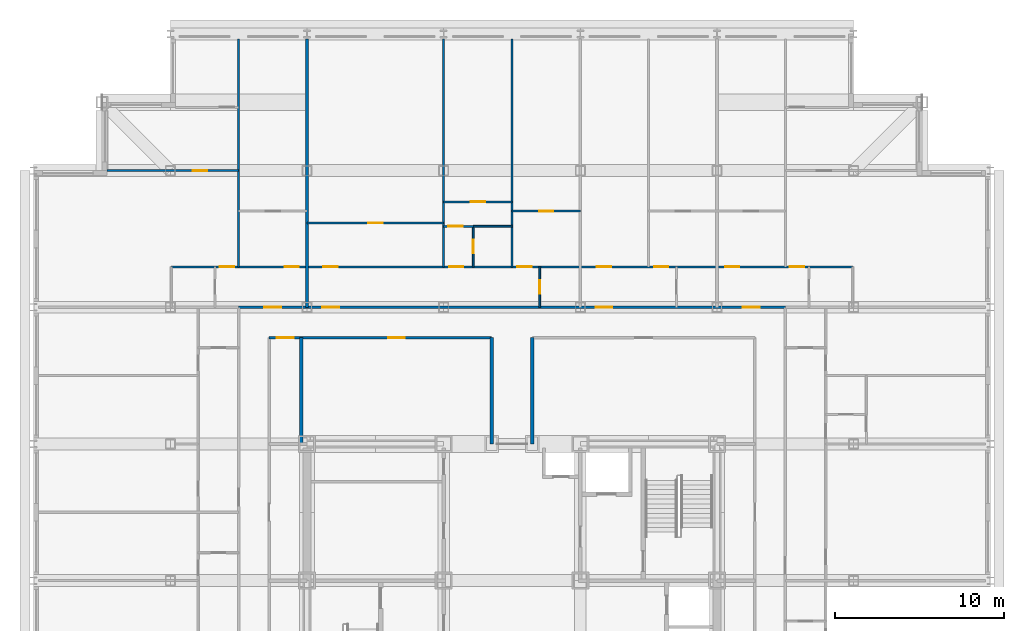
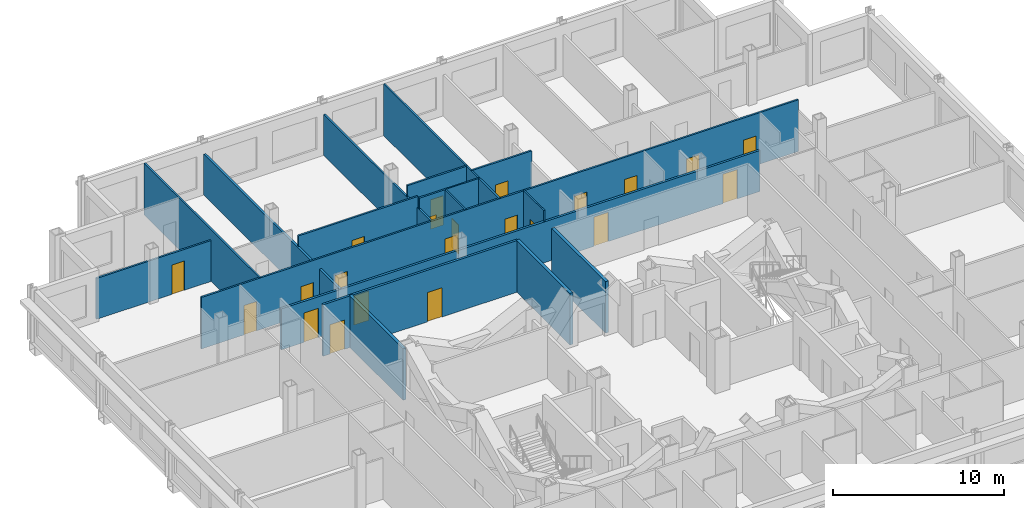
# One storey, part 12 of 15: 22 doors, 18 walls, 22 openings.
"""IFC4 building model written with IfcOpenShell, lengths in metres."""

import ifcopenshell
import ifcopenshell.guid

model = None  # the IFC model being written
_history = None  # IfcOwnerHistory: only IFC2X3 demands one
_inside = {}  # id of a spatial element -> (the spatial element, [elements in it])
_under = {}  # id of a project, library or spatial element -> (it, [spatial elements below it])
_declared = {}  # id of a project -> (the project, [libraries it declares])
_typed = {}  # id of a type object -> (the type object, [elements of that type])
_made_of = {}  # id of a material, layer set ... -> (it, [elements and type objects made of it])


def new_model(schema):
    """Start an empty IFC model of exactly this schema.

    Asked for "IFC4X3", IfcOpenShell would pick the latest addendum, in which some entities
    have other attributes; the version numbers below select the first issue.
    IFC2X3 requires an IfcOwnerHistory on every rooted entity: one is made here for all.
    """
    global model, _history
    if schema == "IFC4X3":
        model = ifcopenshell.file(schema_version=(4, 3, 0, 0))
    else:
        model = ifcopenshell.file(schema=schema)
    _inside.clear()
    _under.clear()
    _declared.clear()
    _typed.clear()
    _made_of.clear()
    _history = None
    if model.schema == "IFC2X3":
        org = make("IfcOrganization", Name="unknown")
        user = make(
            "IfcPersonAndOrganization",
            ThePerson=make("IfcPerson", FamilyName="unknown"),
            TheOrganization=org,
        )
        app = make(
            "IfcApplication",
            ApplicationDeveloper=org,
            Version="unknown",
            ApplicationFullName="unknown",
            ApplicationIdentifier="unknown",
        )
        _history = make(
            "IfcOwnerHistory",
            OwningUser=user,
            OwningApplication=app,
            ChangeAction="ADDED",
            CreationDate=0,
        )
    return model


def make(cls, **values):
    """One entity of the class cls with the attributes given. An attribute that is None is left unset."""
    return model.create_entity(
        cls, **{name: value for name, value in values.items() if value is not None}
    )


def rooted(cls, **values):
    """An entity with a GlobalId (a new one), such as an element, a storey or a relation."""
    return make(cls, GlobalId=ifcopenshell.guid.new(), OwnerHistory=_history, **values)


def si_unit(unit_type, name, prefix=None):
    """IfcSIUnit, for example si_unit("LENGTHUNIT", "METRE", prefix="MILLI")."""
    return make("IfcSIUnit", UnitType=unit_type, Prefix=prefix, Name=name)


def assignment(units):
    """IfcUnitAssignment: the units of a project."""
    return None if units is None else make("IfcUnitAssignment", Units=units)


def point(xyz):
    """IfcCartesianPoint."""
    return None if xyz is None else make("IfcCartesianPoint", Coordinates=xyz)


def direction(xyz):
    """IfcDirection."""
    return None if xyz is None else make("IfcDirection", DirectionRatios=xyz)


def frame(location, z_axis=None, x_axis=None):
    """IfcAxis2Placement3D, a coordinate frame: its origin and axes. An axis left out is left unset."""
    return make(
        "IfcAxis2Placement3D",
        Location=point(location),
        Axis=direction(z_axis),
        RefDirection=direction(x_axis),
    )


def frame_2d(location, x_axis=None):
    """IfcAxis2Placement2D, a coordinate frame in the plane: its origin and x axis."""
    return make(
        "IfcAxis2Placement2D", Location=point(location), RefDirection=direction(x_axis)
    )


def origin():
    """The frame at (0, 0, 0) with its axes left unset."""
    return frame((0.0, 0.0, 0.0))


def place(relative_to, where):
    """IfcLocalPlacement: puts the frame where relative to a parent placement (None: the world)."""
    return make(
        "IfcLocalPlacement", PlacementRelTo=relative_to, RelativePlacement=where
    )


def context(
    kind, dimensions, precision=None, world=None, true_north=None, identifier=None
):
    """IfcGeometricRepresentationContext, for example the 3D "Model" context."""
    return make(
        "IfcGeometricRepresentationContext",
        ContextIdentifier=identifier,
        ContextType=kind,
        CoordinateSpaceDimension=dimensions,
        Precision=precision,
        WorldCoordinateSystem=world,
        TrueNorth=true_north,
    )


def subcontext(parent, identifier, kind, view, scale=None):
    """IfcGeometricRepresentationSubContext, for example "Body" below "Model"."""
    return make(
        "IfcGeometricRepresentationSubContext",
        ContextIdentifier=identifier,
        ContextType=kind,
        ParentContext=parent,
        TargetScale=scale,
        TargetView=view,
    )


def project(units=None, contexts=None):
    """IfcProject with its units and contexts."""
    return rooted(
        "IfcProject",
        Name="project",
        RepresentationContexts=contexts,
        UnitsInContext=assignment(units),
    )


def spatial(cls, under=None, at=None, **own):
    """A site, building, storey or space (cls), placed at a placement, below another one or the project."""
    s = rooted(cls, ObjectPlacement=at, **own)
    if under is not None:
        _under.setdefault(under.id(), (under, []))[1].append(s)
    return s


def profile(cls, at=None, kind="AREA", **sizes):
    """A parametric profile (cls). Its sizes go by their IFC names, for example OverallWidth=200.0."""
    return make(cls, ProfileType=kind, Position=at, **sizes)


def rectangle(**sizes):
    """IfcRectangleProfileDef."""
    return profile("IfcRectangleProfileDef", **sizes)


def extrude(swept, where, along, depth):
    """IfcExtrudedAreaSolid: the profile swept, set in the frame where, extruded along a direction by depth."""
    return make(
        "IfcExtrudedAreaSolid",
        SweptArea=swept,
        Position=where,
        ExtrudedDirection=direction(along),
        Depth=depth,
    )


def shape(context_of_items, identifier, shape_type, items):
    """IfcShapeRepresentation: the items that make up one representation, for example the "Body"."""
    return make(
        "IfcShapeRepresentation",
        ContextOfItems=context_of_items,
        RepresentationIdentifier=identifier,
        RepresentationType=shape_type,
        Items=items,
    )


def material(Name=None, Category=None):
    """IfcMaterial."""
    return make("IfcMaterial", Name=Name, Category=Category)


def layer(
    of_material, thickness, ventilated=None, Name=None, Category=None, Priority=None
):
    """IfcMaterialLayer: one layer of a wall or slab, of a material (None: an air gap)."""
    return make(
        "IfcMaterialLayer",
        Material=of_material,
        LayerThickness=thickness,
        IsVentilated=ventilated,
        Name=Name,
        Category=Category,
        Priority=Priority,
    )


def layer_set(layers, Name=None):
    """IfcMaterialLayerSet."""
    return make("IfcMaterialLayerSet", MaterialLayers=layers, LayerSetName=Name)


def made_of(thing, what):
    """Note that an element or type object is made of a material, layer set ...; save() writes the relation."""
    if what is not None:
        _made_of.setdefault(what.id(), (what, []))[1].append(thing)
    return thing


def type_object(cls, material=None, **own):
    """A type object (cls), such as IfcWallType, which elements share."""
    return made_of(rooted(cls, **own), material)


def element(
    cls,
    number,
    at=None,
    inside=None,
    cuts=None,
    type_object=None,
    material=None,
    context=None,
    identifier="Body",
    shape_type=None,
    held_by="IfcProductDefinitionShape",
    body=None,
    shapes=None,
    **own,
):
    """One element of the class cls, such as IfcWall. Its Tag is "e" and its number.

    at: its placement. inside: the storey or other place that contains it. cuts: it is an
    opening in that element (IfcRelVoidsElement). A single representation is given by context,
    identifier, shape_type and body (its items); several are given by shapes. held_by: the class
    of the entity that holds the representations. save() writes the other relations.
    """
    e = rooted(cls, Tag="e%d" % number, ObjectPlacement=at, **own)
    if body is not None:
        shapes = [shape(context, identifier, shape_type, body)]
    if shapes is not None:
        e.Representation = make(held_by, Representations=shapes)
    if inside is not None:
        _inside.setdefault(inside.id(), (inside, []))[1].append(e)
    if cuts is not None:
        rooted(
            "IfcRelVoidsElement", RelatingBuildingElement=cuts, RelatedOpeningElement=e
        )
    if type_object is not None:
        _typed.setdefault(type_object.id(), (type_object, []))[1].append(e)
    return made_of(e, material)


def fill(opening, filler):
    """IfcRelFillsElement: the door or window that sits in an opening."""
    return rooted(
        "IfcRelFillsElement",
        RelatingOpeningElement=opening,
        RelatedBuildingElement=filler,
    )


def aggregate(whole, parts):
    """IfcRelAggregates: a whole, such as a stair, and the parts it consists of."""
    return rooted("IfcRelAggregates", RelatingObject=whole, RelatedObjects=parts)


def save(model, path):
    """Write the relations noted so far, then the file.

    IfcRelAggregates (storeys below a building ...), IfcRelContainedInSpatialStructure (elements
    in a storey), IfcRelDefinesByType, IfcRelAssociatesMaterial and IfcRelDeclares: one each for
    every whole, place, type object, material and project.
    """
    for whole, parts in _under.values():
        aggregate(whole, parts)
    for where, things in _inside.values():
        rooted(
            "IfcRelContainedInSpatialStructure",
            RelatedElements=things,
            RelatingStructure=where,
        )
    for kind, things in _typed.values():
        rooted("IfcRelDefinesByType", RelatedObjects=things, RelatingType=kind)
    for what, things in _made_of.values():
        rooted("IfcRelAssociatesMaterial", RelatedObjects=things, RelatingMaterial=what)
    for by, libraries in _declared.values():
        rooted("IfcRelDeclares", RelatingContext=by, RelatedDefinitions=libraries)
    model.write(path)


model = new_model("IFC4")

# Units and contexts
model_context = context("Model", 3, precision=1e-05, world=origin(), true_north=direction((0.0, 1.0)))
body_context = subcontext(model_context, "Body", "Model", "MODEL_VIEW")
ifc_project = project(units=[si_unit("LENGTHUNIT", "METRE"), si_unit("AREAUNIT", "SQUARE_METRE"), si_unit("VOLUMEUNIT", "CUBIC_METRE"), si_unit("PLANEANGLEUNIT", "RADIAN"), si_unit("MASSUNIT", "GRAM", prefix="KILO")], contexts=[model_context])

# Site, building, storey
site_placement = place(None, origin())
site = spatial("IfcSite", under=ifc_project, at=site_placement, CompositionType="ELEMENT")
building_placement = place(site_placement, origin())
building = spatial("IfcBuilding", under=site, at=building_placement, Name="Kopane Lantern Tower", CompositionType="ELEMENT")
storey_placement = place(building_placement, frame((0.0, 0.0, 242.39990234375)))
storey = spatial("IfcBuildingStorey", under=building, at=storey_placement, Name="L62", CompositionType="ELEMENT", Elevation=242.39990234375)

# Walls
ifc_material_1 = material(Name="Gypsum board on steel studs", Category="steel")
ifc_layer_1 = layer(ifc_material_1, 0.1201171875)
ifc_layer_set_1 = layer_set([ifc_layer_1], Name="APARTMENT INTERNAL WALL 120")
wall_type_1 = type_object("IfcWallType", Name="APARTMENT INTERNAL WALL 120", PredefinedType="PARTITIONING", material=ifc_layer_set_1)
wall_1_placement = place(storey_placement, frame((24.300048828125, 51.0, 0.0), z_axis=(0.0, 0.0, 1.0), x_axis=(0.0, 1.0, 0.0)))
element("IfcWall", 1, at=wall_1_placement, inside=storey, type_object=wall_type_1, Name="Apartment Internal Wall 120 L62", PredefinedType="PARTITIONING", context=body_context, shape_type="SweptSolid", body=[
    extrude(rectangle(XDim=13.5, YDim=0.1201171875, at=frame_2d((6.75, 0.0))), origin(), (0.0, 0.0, 1.0), 2.927978515625),
])
wall_2_placement = place(storey_placement, frame((28.35009765625, 51.0, 0.0), z_axis=(0.0, 0.0, 1.0), x_axis=(0.0, 1.0, 0.0)))
element("IfcWall", 2, at=wall_2_placement, inside=storey, type_object=wall_type_1, Name="Apartment Internal Wall 120 L62", PredefinedType="PARTITIONING", context=body_context, shape_type="SweptSolid", body=[
    extrude(rectangle(XDim=13.5, YDim=0.1201171875, at=frame_2d((6.75, 0.0))), origin(), (0.0, 0.0, 1.0), 3.690185546875),
])

# Wall, openings, doors
wall_3_placement = place(storey_placement, frame((8.14990234375, 51.0, 0.0), z_axis=(0.0, 0.0, 1.0), x_axis=(1.0, 0.0, 0.0)))
wall_3 = element("IfcWall", 3, at=wall_3_placement, inside=storey, type_object=wall_type_1, Name="Apartment Internal Wall 120 L62", PredefinedType="PARTITIONING", context=body_context, shape_type="SweptSolid", body=[
    extrude(rectangle(XDim=40.400146484375, YDim=0.1201171875, at=frame_2d((20.2001953125, 0.0))), origin(), (0.0, 0.0, 1.0), 3.690185546875),
])
opening_1_placement = place(wall_3_placement, frame((9.02490234375, 0.0, 0.0)))
opening_1 = element("IfcOpeningElement", 4, at=opening_1_placement, cuts=wall_3, Name="Opening L62-021", PredefinedType="OPENING", context=body_context, shape_type="SweptSolid", body=[
    extrude(rectangle(XDim=0.85009765625, YDim=2.10009765625, at=frame_2d((0.425048828125, 1.050048828125))), frame((0.0, 0.070068359375, 0.0), z_axis=(0.0, -1.0, 0.0), x_axis=(1.0, 0.0, 0.0)), (0.0, 0.0, 1.0), 0.14013671875),
])
opening_2_placement = place(wall_3_placement, frame((16.47509765625, 0.0, 0.0)))
opening_2 = element("IfcOpeningElement", 5, at=opening_2_placement, cuts=wall_3, Name="Opening L62-023", PredefinedType="OPENING", context=body_context, shape_type="SweptSolid", body=[
    extrude(rectangle(XDim=0.85009765625, YDim=2.10009765625, at=frame_2d((0.425048828125, 1.050048828125))), frame((0.0, 0.070068359375, 0.0), z_axis=(0.0, -1.0, 0.0), x_axis=(1.0, 0.0, 0.0)), (0.0, 0.0, 1.0), 0.14013671875),
])
opening_3_placement = place(wall_3_placement, frame((20.52490234375, 0.0, 0.0)))
opening_3 = element("IfcOpeningElement", 6, at=opening_3_placement, cuts=wall_3, Name="Opening L62-024", PredefinedType="OPENING", context=body_context, shape_type="SweptSolid", body=[
    extrude(rectangle(XDim=0.85009765625, YDim=2.10009765625, at=frame_2d((0.425048828125, 1.050048828125))), frame((0.0, 0.070068359375, 0.0), z_axis=(0.0, -1.0, 0.0), x_axis=(1.0, 0.0, 0.0)), (0.0, 0.0, 1.0), 0.14013671875),
])
opening_4_placement = place(wall_3_placement, frame((25.22509765625, 0.0, 0.0)))
opening_4 = element("IfcOpeningElement", 7, at=opening_4_placement, cuts=wall_3, Name="Opening L62-027", PredefinedType="OPENING", context=body_context, shape_type="SweptSolid", body=[
    extrude(rectangle(XDim=0.85009765625, YDim=2.10009765625, at=frame_2d((0.425048828125, 1.050048828125))), frame((0.0, 0.070068359375, 0.0), z_axis=(0.0, -1.0, 0.0), x_axis=(1.0, 0.0, 0.0)), (0.0, 0.0, 1.0), 0.14013671875),
])
opening_5_placement = place(wall_3_placement, frame((28.625, 0.0, 0.0)))
opening_5 = element("IfcOpeningElement", 8, at=opening_5_placement, cuts=wall_3, Name="Opening L62-028", PredefinedType="OPENING", context=body_context, shape_type="SweptSolid", body=[
    extrude(rectangle(XDim=0.85009765625, YDim=2.10009765625, at=frame_2d((0.425048828125, 1.050048828125))), frame((0.0, 0.070068359375, 0.0), z_axis=(0.0, -1.0, 0.0), x_axis=(1.0, 0.0, 0.0)), (0.0, 0.0, 1.0), 0.14013671875),
])
opening_6_placement = place(wall_3_placement, frame((32.824951171875, 0.0, 0.0)))
opening_6 = element("IfcOpeningElement", 9, at=opening_6_placement, cuts=wall_3, Name="Opening L62-054", PredefinedType="OPENING", context=body_context, shape_type="SweptSolid", body=[
    extrude(rectangle(XDim=0.85009765625, YDim=2.10009765625, at=frame_2d((0.425048828125, 1.050048828125))), frame((0.0, 0.070068359375, 0.0), z_axis=(0.0, -1.0, 0.0), x_axis=(1.0, 0.0, 0.0)), (0.0, 0.0, 1.0), 0.14013671875),
])
opening_7_placement = place(wall_3_placement, frame((36.675048828125, 0.0, 0.0)))
opening_7 = element("IfcOpeningElement", 10, at=opening_7_placement, cuts=wall_3, Name="Opening L62-056", PredefinedType="OPENING", context=body_context, shape_type="SweptSolid", body=[
    extrude(rectangle(XDim=0.85009765625, YDim=2.10009765625, at=frame_2d((0.425048828125, 1.050048828125))), frame((0.0, 0.070068359375, 0.0), z_axis=(0.0, -1.0, 0.0), x_axis=(1.0, 0.0, 0.0)), (0.0, 0.0, 1.0), 0.14013671875),
])
opening_8_placement = place(wall_3_placement, frame((6.72509765625, 0.0, 0.0)))
opening_8 = element("IfcOpeningElement", 11, at=opening_8_placement, cuts=wall_3, Name="Opening L62-059", PredefinedType="OPENING", context=body_context, shape_type="SweptSolid", body=[
    extrude(rectangle(XDim=0.85009765625, YDim=2.10009765625, at=frame_2d((0.425048828125, 1.050048828125))), frame((0.0, 0.070068359375, 0.0), z_axis=(0.0, -1.0, 0.0), x_axis=(1.0, 0.0, 0.0)), (0.0, 0.0, 1.0), 0.14013671875),
])
opening_9_placement = place(wall_3_placement, frame((2.875, 0.0, 0.0)))
opening_9 = element("IfcOpeningElement", 12, at=opening_9_placement, cuts=wall_3, Name="Opening L62-061", PredefinedType="OPENING", context=body_context, shape_type="SweptSolid", body=[
    extrude(rectangle(XDim=0.85009765625, YDim=2.10009765625, at=frame_2d((0.425048828125, 1.050048828125))), frame((0.0, 0.070068359375, 0.0), z_axis=(0.0, -1.0, 0.0), x_axis=(1.0, 0.0, 0.0)), (0.0, 0.0, 1.0), 0.14013671875),
])
ifc_material_2 = material(Name="Timber door set", Category="wood")
door_type_1 = type_object("IfcDoorType", Name="DOOR D4 850x2100", OperationType="SINGLE_SWING_LEFT", PredefinedType="DOOR", material=ifc_material_2)
door_1_placement = place(opening_1_placement, origin())
door_1 = element("IfcDoor", 13, at=door_1_placement, inside=storey, type_object=door_type_1, Name="Door L62-021", OperationType="SINGLE_SWING_LEFT", OverallHeight=2.10009765625, OverallWidth=0.85009765625, PredefinedType="DOOR", context=body_context, shape_type="SweptSolid", body=[
    extrude(rectangle(XDim=0.85009765625, YDim=2.10009765625, at=frame_2d((0.425048828125, 1.050048828125))), frame((0.0, 0.02490234375, 0.0), z_axis=(0.0, -1.0, 0.0), x_axis=(1.0, 0.0, 0.0)), (0.0, 0.0, 1.0), 0.050048828125),
])
fill(opening_1, door_1)
door_2_placement = place(opening_2_placement, origin())
door_2 = element("IfcDoor", 14, at=door_2_placement, inside=storey, type_object=door_type_1, Name="Door L62-023", OperationType="SINGLE_SWING_LEFT", OverallHeight=2.10009765625, OverallWidth=0.85009765625, PredefinedType="DOOR", context=body_context, shape_type="SweptSolid", body=[
    extrude(rectangle(XDim=0.85009765625, YDim=2.10009765625, at=frame_2d((0.425048828125, 1.050048828125))), frame((0.0, 0.02490234375, 0.0), z_axis=(0.0, -1.0, 0.0), x_axis=(1.0, 0.0, 0.0)), (0.0, 0.0, 1.0), 0.050048828125),
])
fill(opening_2, door_2)
door_3_placement = place(opening_3_placement, origin())
door_3 = element("IfcDoor", 15, at=door_3_placement, inside=storey, type_object=door_type_1, Name="Door L62-024", OperationType="SINGLE_SWING_LEFT", OverallHeight=2.10009765625, OverallWidth=0.85009765625, PredefinedType="DOOR", context=body_context, shape_type="SweptSolid", body=[
    extrude(rectangle(XDim=0.85009765625, YDim=2.10009765625, at=frame_2d((0.425048828125, 1.050048828125))), frame((0.0, 0.02490234375, 0.0), z_axis=(0.0, -1.0, 0.0), x_axis=(1.0, 0.0, 0.0)), (0.0, 0.0, 1.0), 0.050048828125),
])
fill(opening_3, door_3)
door_4_placement = place(opening_4_placement, origin())
door_4 = element("IfcDoor", 16, at=door_4_placement, inside=storey, type_object=door_type_1, Name="Door L62-027", OperationType="SINGLE_SWING_RIGHT", OverallHeight=2.10009765625, OverallWidth=0.85009765625, PredefinedType="DOOR", context=body_context, shape_type="SweptSolid", body=[
    extrude(rectangle(XDim=0.85009765625, YDim=2.10009765625, at=frame_2d((0.425048828125, 1.050048828125))), frame((0.0, 0.02490234375, 0.0), z_axis=(0.0, -1.0, 0.0), x_axis=(1.0, 0.0, 0.0)), (0.0, 0.0, 1.0), 0.050048828125),
])
fill(opening_4, door_4)
door_5_placement = place(opening_5_placement, origin())
door_5 = element("IfcDoor", 17, at=door_5_placement, inside=storey, type_object=door_type_1, Name="Door L62-028", OperationType="SINGLE_SWING_LEFT", OverallHeight=2.10009765625, OverallWidth=0.85009765625, PredefinedType="DOOR", context=body_context, shape_type="SweptSolid", body=[
    extrude(rectangle(XDim=0.85009765625, YDim=2.10009765625, at=frame_2d((0.425048828125, 1.050048828125))), frame((0.0, 0.02490234375, 0.0), z_axis=(0.0, -1.0, 0.0), x_axis=(1.0, 0.0, 0.0)), (0.0, 0.0, 1.0), 0.050048828125),
])
fill(opening_5, door_5)
door_6_placement = place(opening_6_placement, origin())
door_6 = element("IfcDoor", 18, at=door_6_placement, inside=storey, type_object=door_type_1, Name="Door L62-054", OperationType="SINGLE_SWING_RIGHT", OverallHeight=2.10009765625, OverallWidth=0.85009765625, PredefinedType="DOOR", context=body_context, shape_type="SweptSolid", body=[
    extrude(rectangle(XDim=0.85009765625, YDim=2.10009765625, at=frame_2d((0.425048828125, 1.050048828125))), frame((0.0, 0.02490234375, 0.0), z_axis=(0.0, -1.0, 0.0), x_axis=(1.0, 0.0, 0.0)), (0.0, 0.0, 1.0), 0.050048828125),
])
fill(opening_6, door_6)
door_7_placement = place(opening_7_placement, origin())
door_7 = element("IfcDoor", 19, at=door_7_placement, inside=storey, type_object=door_type_1, Name="Door L62-056", OperationType="SINGLE_SWING_LEFT", OverallHeight=2.10009765625, OverallWidth=0.85009765625, PredefinedType="DOOR", context=body_context, shape_type="SweptSolid", body=[
    extrude(rectangle(XDim=0.85009765625, YDim=2.10009765625, at=frame_2d((0.425048828125, 1.050048828125))), frame((0.0, 0.02490234375, 0.0), z_axis=(0.0, -1.0, 0.0), x_axis=(1.0, 0.0, 0.0)), (0.0, 0.0, 1.0), 0.050048828125),
])
fill(opening_7, door_7)
door_8_placement = place(opening_8_placement, origin())
door_8 = element("IfcDoor", 20, at=door_8_placement, inside=storey, type_object=door_type_1, Name="Door L62-059", OperationType="SINGLE_SWING_LEFT", OverallHeight=2.10009765625, OverallWidth=0.85009765625, PredefinedType="DOOR", context=body_context, shape_type="SweptSolid", body=[
    extrude(rectangle(XDim=0.85009765625, YDim=2.10009765625, at=frame_2d((0.425048828125, 1.050048828125))), frame((0.0, 0.02490234375, 0.0), z_axis=(0.0, -1.0, 0.0), x_axis=(1.0, 0.0, 0.0)), (0.0, 0.0, 1.0), 0.050048828125),
])
fill(opening_8, door_8)
door_9_placement = place(opening_9_placement, origin())
door_9 = element("IfcDoor", 21, at=door_9_placement, inside=storey, type_object=door_type_1, Name="Door L62-061", OperationType="SINGLE_SWING_RIGHT", OverallHeight=2.10009765625, OverallWidth=0.85009765625, PredefinedType="DOOR", context=body_context, shape_type="SweptSolid", body=[
    extrude(rectangle(XDim=0.85009765625, YDim=2.10009765625, at=frame_2d((0.425048828125, 1.050048828125))), frame((0.0, 0.02490234375, 0.0), z_axis=(0.0, -1.0, 0.0), x_axis=(1.0, 0.0, 0.0)), (0.0, 0.0, 1.0), 0.050048828125),
])
fill(opening_9, door_9)

# Wall
wall_4_placement = place(storey_placement, frame((12.14990234375, 51.0, 0.0), z_axis=(0.0, 0.0, 1.0), x_axis=(0.0, 1.0, 0.0)))
element("IfcWall", 22, at=wall_4_placement, inside=storey, type_object=wall_type_1, Name="Apartment Internal Wall 120 L62", PredefinedType="PARTITIONING", context=body_context, shape_type="SweptSolid", body=[
    extrude(rectangle(XDim=13.5, YDim=0.1201171875, at=frame_2d((6.75, 0.0))), origin(), (0.0, 0.0, 1.0), 3.690185546875),
])

# Wall, opening, door
wall_5_placement = place(storey_placement, frame((12.14990234375, 56.699951171875, 0.0), z_axis=(0.0, 0.0, 1.0), x_axis=(-1.0, 0.0, 0.0)))
wall_5 = element("IfcWall", 23, at=wall_5_placement, inside=storey, type_object=wall_type_1, Name="Apartment Internal Wall 120 L62", PredefinedType="PARTITIONING", context=body_context, shape_type="SweptSolid", body=[
    extrude(rectangle(XDim=7.7998046875, YDim=0.1201171875, at=frame_2d((3.89990234375, 0.0))), origin(), (0.0, 0.0, 1.0), 2.927978515625),
])
opening_10_placement = place(wall_5_placement, frame((1.875, 0.0, 0.0)))
opening_10 = element("IfcOpeningElement", 24, at=opening_10_placement, cuts=wall_5, Name="Opening L62-062", PredefinedType="OPENING", context=body_context, shape_type="SweptSolid", body=[
    extrude(rectangle(XDim=0.85009765625, YDim=2.10009765625, at=frame_2d((0.425048828125, 1.050048828125))), frame((0.0, 0.070068359375, 0.0), z_axis=(0.0, -1.0, 0.0), x_axis=(1.0, 0.0, 0.0)), (0.0, 0.0, 1.0), 0.14013671875),
])
door_10_placement = place(opening_10_placement, origin())
door_10 = element("IfcDoor", 25, at=door_10_placement, inside=storey, type_object=door_type_1, Name="Door L62-062", OperationType="SINGLE_SWING_LEFT", OverallHeight=2.10009765625, OverallWidth=0.85009765625, PredefinedType="DOOR", context=body_context, shape_type="SweptSolid", body=[
    extrude(rectangle(XDim=0.85009765625, YDim=2.10009765625, at=frame_2d((0.425048828125, 1.050048828125))), frame((0.0, 0.02490234375, 0.0), z_axis=(0.0, -1.0, 0.0), x_axis=(1.0, 0.0, 0.0)), (0.0, 0.0, 1.0), 0.050048828125),
])
fill(opening_10, door_10)

wall_6_placement = place(storey_placement, frame((24.300048828125, 53.39990234375, 0.0), z_axis=(0.0, 0.0, 1.0), x_axis=(1.0, 0.0, 0.0)))
wall_6 = element("IfcWall", 26, at=wall_6_placement, inside=storey, type_object=wall_type_1, Name="Apartment Internal Wall 120 L62", PredefinedType="PARTITIONING", context=body_context, shape_type="SweptSolid", body=[
    extrude(rectangle(XDim=1.760009765625, YDim=0.1201171875, at=frame_2d((0.8798828125, 0.0))), origin(), (0.0, 0.0, 1.0), 3.690185546875),
])
opening_11_placement = place(wall_6_placement, frame((0.27490234375, 0.0, 0.0)))
opening_11 = element("IfcOpeningElement", 27, at=opening_11_placement, cuts=wall_6, Name="Opening L62-063", PredefinedType="OPENING", context=body_context, shape_type="SweptSolid", body=[
    extrude(rectangle(XDim=0.85009765625, YDim=2.10009765625, at=frame_2d((0.425048828125, 1.050048828125))), frame((0.0, 0.070068359375, 0.0), z_axis=(0.0, -1.0, 0.0), x_axis=(1.0, 0.0, 0.0)), (0.0, 0.0, 1.0), 0.14013671875),
])
door_11_placement = place(opening_11_placement, origin())
door_11 = element("IfcDoor", 28, at=door_11_placement, inside=storey, type_object=door_type_1, Name="Door L62-063", OperationType="SINGLE_SWING_LEFT", OverallHeight=2.10009765625, OverallWidth=0.85009765625, PredefinedType="DOOR", context=body_context, shape_type="SweptSolid", body=[
    extrude(rectangle(XDim=0.85009765625, YDim=2.10009765625, at=frame_2d((0.425048828125, 1.050048828125))), frame((0.0, 0.02490234375, 0.0), z_axis=(0.0, -1.0, 0.0), x_axis=(1.0, 0.0, 0.0)), (0.0, 0.0, 1.0), 0.050048828125),
])
fill(opening_11, door_11)

wall_7_placement = place(storey_placement, frame((16.199951171875, 53.60009765625, 0.0), z_axis=(0.0, 0.0, 1.0), x_axis=(1.0, 0.0, 0.0)))
wall_7 = element("IfcWall", 29, at=wall_7_placement, inside=storey, type_object=wall_type_1, Name="Apartment Internal Wall 120 L62", PredefinedType="PARTITIONING", context=body_context, shape_type="SweptSolid", body=[
    extrude(rectangle(XDim=8.10009765625, YDim=0.1201171875, at=frame_2d((4.050048828125, 0.0))), origin(), (0.0, 0.0, 1.0), 3.690185546875),
])
opening_12_placement = place(wall_7_placement, frame((3.625, 0.0, 0.0)))
opening_12 = element("IfcOpeningElement", 30, at=opening_12_placement, cuts=wall_7, Name="Opening L62-067", PredefinedType="OPENING", context=body_context, shape_type="SweptSolid", body=[
    extrude(rectangle(XDim=0.85009765625, YDim=2.10009765625, at=frame_2d((0.425048828125, 1.050048828125))), frame((0.0, 0.070068359375, 0.0), z_axis=(0.0, -1.0, 0.0), x_axis=(1.0, 0.0, 0.0)), (0.0, 0.0, 1.0), 0.14013671875),
])
door_12_placement = place(opening_12_placement, origin())
door_12 = element("IfcDoor", 31, at=door_12_placement, inside=storey, type_object=door_type_1, Name="Door L62-067", OperationType="SINGLE_SWING_RIGHT", OverallHeight=2.10009765625, OverallWidth=0.85009765625, PredefinedType="DOOR", context=body_context, shape_type="SweptSolid", body=[
    extrude(rectangle(XDim=0.85009765625, YDim=2.10009765625, at=frame_2d((0.425048828125, 1.050048828125))), frame((0.0, 0.02490234375, 0.0), z_axis=(0.0, -1.0, 0.0), x_axis=(1.0, 0.0, 0.0)), (0.0, 0.0, 1.0), 0.050048828125),
])
fill(opening_12, door_12)

wall_8_placement = place(storey_placement, frame((24.300048828125, 54.85009765625, 0.0), z_axis=(0.0, 0.0, 1.0), x_axis=(1.0, 0.0, 0.0)))
wall_8 = element("IfcWall", 32, at=wall_8_placement, inside=storey, type_object=wall_type_1, Name="Apartment Internal Wall 120 L62", PredefinedType="PARTITIONING", context=body_context, shape_type="SweptSolid", body=[
    extrude(rectangle(XDim=4.050048828125, YDim=0.1201171875, at=frame_2d((2.02490234375, 0.0))), origin(), (0.0, 0.0, 1.0), 3.690185546875),
])
opening_13_placement = place(wall_8_placement, frame((1.60009765625, 0.0, 0.0)))
opening_13 = element("IfcOpeningElement", 33, at=opening_13_placement, cuts=wall_8, Name="Opening L62-068", PredefinedType="OPENING", context=body_context, shape_type="SweptSolid", body=[
    extrude(rectangle(XDim=0.85009765625, YDim=2.10009765625, at=frame_2d((0.425048828125, 1.050048828125))), frame((0.0, 0.070068359375, 0.0), z_axis=(0.0, -1.0, 0.0), x_axis=(1.0, 0.0, 0.0)), (0.0, 0.0, 1.0), 0.14013671875),
])
door_13_placement = place(opening_13_placement, origin())
door_13 = element("IfcDoor", 34, at=door_13_placement, inside=storey, type_object=door_type_1, Name="Door L62-068", OperationType="SINGLE_SWING_RIGHT", OverallHeight=2.10009765625, OverallWidth=0.85009765625, PredefinedType="DOOR", context=body_context, shape_type="SweptSolid", body=[
    extrude(rectangle(XDim=0.85009765625, YDim=2.10009765625, at=frame_2d((0.425048828125, 1.050048828125))), frame((0.0, 0.02490234375, 0.0), z_axis=(0.0, -1.0, 0.0), x_axis=(1.0, 0.0, 0.0)), (0.0, 0.0, 1.0), 0.050048828125),
])
fill(opening_13, door_13)

wall_9_placement = place(storey_placement, frame((28.35009765625, 54.300048828125, 0.0), z_axis=(0.0, 0.0, 1.0), x_axis=(1.0, 0.0, 0.0)))
wall_9 = element("IfcWall", 35, at=wall_9_placement, inside=storey, type_object=wall_type_1, Name="Apartment Internal Wall 120 L62", PredefinedType="PARTITIONING", context=body_context, shape_type="SweptSolid", body=[
    extrude(rectangle(XDim=4.0498046875, YDim=0.1201171875, at=frame_2d((2.02490234375, 0.0))), origin(), (0.0, 0.0, 1.0), 3.690185546875),
])
opening_14_placement = place(wall_9_placement, frame((1.60009765625, 0.0, 0.0)))
opening_14 = element("IfcOpeningElement", 36, at=opening_14_placement, cuts=wall_9, Name="Opening L62-069", PredefinedType="OPENING", context=body_context, shape_type="SweptSolid", body=[
    extrude(rectangle(XDim=0.85009765625, YDim=2.10009765625, at=frame_2d((0.425048828125, 1.050048828125))), frame((0.0, 0.070068359375, 0.0), z_axis=(0.0, -1.0, 0.0), x_axis=(1.0, 0.0, 0.0)), (0.0, 0.0, 1.0), 0.14013671875),
])
door_14_placement = place(opening_14_placement, origin())
door_14 = element("IfcDoor", 37, at=door_14_placement, inside=storey, type_object=door_type_1, Name="Door L62-069", OperationType="SINGLE_SWING_RIGHT", OverallHeight=2.10009765625, OverallWidth=0.85009765625, PredefinedType="DOOR", context=body_context, shape_type="SweptSolid", body=[
    extrude(rectangle(XDim=0.85009765625, YDim=2.10009765625, at=frame_2d((0.425048828125, 1.050048828125))), frame((0.0, 0.02490234375, 0.0), z_axis=(0.0, -1.0, 0.0), x_axis=(1.0, 0.0, 0.0)), (0.0, 0.0, 1.0), 0.050048828125),
])
fill(opening_14, door_14)

ifc_material_3 = material(Name="Moisture-resistant board on steel studs", Category="steel")
ifc_layer_2 = layer(ifc_material_3, 0.10009765625)
ifc_layer_set_2 = layer_set([ifc_layer_2], Name="BATHROOM WALL 100")
wall_type_2 = type_object("IfcWallType", Name="BATHROOM WALL 100", PredefinedType="PARTITIONING", material=ifc_layer_set_2)
wall_10_placement = place(storey_placement, frame((30.0, 48.60009765625, 0.0), z_axis=(0.0, 0.0, 1.0), x_axis=(0.0, 1.0, 0.0)))
wall_10 = element("IfcWall", 38, at=wall_10_placement, inside=storey, type_object=wall_type_2, Name="Bathroom Wall 100 L62", PredefinedType="PARTITIONING", context=body_context, shape_type="SweptSolid", body=[
    extrude(rectangle(XDim=2.39990234375, YDim=0.10009765625, at=frame_2d((1.199951171875, 0.0))), origin(), (0.0, 0.0, 1.0), 3.690185546875),
])
opening_15_placement = place(wall_10_placement, frame((0.800048828125, 0.0, 0.0)))
opening_15 = element("IfcOpeningElement", 39, at=opening_15_placement, cuts=wall_10, Name="Opening L62-019", PredefinedType="OPENING", context=body_context, shape_type="SweptSolid", body=[
    extrude(rectangle(XDim=0.800048828125, YDim=2.10009765625, at=frame_2d((0.39990234375, 1.050048828125))), frame((0.0, 0.06005859375, 0.0), z_axis=(0.0, -1.0, 0.0), x_axis=(1.0, 0.0, 0.0)), (0.0, 0.0, 1.0), 0.1201171875),
])
ifc_material_4 = material(Name="Timber door set", Category="wood")
door_type_2 = type_object("IfcDoorType", Name="DOOR D2 800x2100", OperationType="SINGLE_SWING_LEFT", PredefinedType="DOOR", material=ifc_material_4)
door_15_placement = place(opening_15_placement, origin())
door_15 = element("IfcDoor", 40, at=door_15_placement, inside=storey, type_object=door_type_2, Name="Door L62-019", OperationType="SINGLE_SWING_RIGHT", OverallHeight=2.10009765625, OverallWidth=0.800048828125, PredefinedType="DOOR", context=body_context, shape_type="SweptSolid", body=[
    extrude(rectangle(XDim=0.800048828125, YDim=2.10009765625, at=frame_2d((0.39990234375, 1.050048828125))), frame((0.0, 0.02490234375, 0.0), z_axis=(0.0, -1.0, 0.0), x_axis=(1.0, 0.0, 0.0)), (0.0, 0.0, 1.0), 0.050048828125),
])
fill(opening_15, door_15)

wall_11_placement = place(storey_placement, frame((26.050048828125, 51.0, 0.0), z_axis=(0.0, 0.0, 1.0), x_axis=(0.0, 1.0, 0.0)))
wall_11 = element("IfcWall", 41, at=wall_11_placement, inside=storey, type_object=wall_type_2, Name="Bathroom Wall 100 L62", PredefinedType="PARTITIONING", context=body_context, shape_type="SweptSolid", body=[
    extrude(rectangle(XDim=2.39990234375, YDim=0.10009765625, at=frame_2d((1.199951171875, 0.0))), origin(), (0.0, 0.0, 1.0), 3.690185546875),
])
opening_16_placement = place(wall_11_placement, frame((0.800048828125, 0.0, 0.0)))
opening_16 = element("IfcOpeningElement", 42, at=opening_16_placement, cuts=wall_11, Name="Opening L62-022", PredefinedType="OPENING", context=body_context, shape_type="SweptSolid", body=[
    extrude(rectangle(XDim=0.800048828125, YDim=2.10009765625, at=frame_2d((0.39990234375, 1.050048828125))), frame((0.0, 0.06005859375, 0.0), z_axis=(0.0, -1.0, 0.0), x_axis=(1.0, 0.0, 0.0)), (0.0, 0.0, 1.0), 0.1201171875),
])
door_16_placement = place(opening_16_placement, origin())
door_16 = element("IfcDoor", 43, at=door_16_placement, inside=storey, type_object=door_type_2, Name="Door L62-022", OperationType="SINGLE_SWING_RIGHT", OverallHeight=2.10009765625, OverallWidth=0.800048828125, PredefinedType="DOOR", context=body_context, shape_type="SweptSolid", body=[
    extrude(rectangle(XDim=0.800048828125, YDim=2.10009765625, at=frame_2d((0.39990234375, 1.050048828125))), frame((0.0, 0.02490234375, 0.0), z_axis=(0.0, -1.0, 0.0), x_axis=(1.0, 0.0, 0.0)), (0.0, 0.0, 1.0), 0.050048828125),
])
fill(opening_16, door_16)

# Wall
wall_12_placement = place(storey_placement, frame((26.050048828125, 53.39990234375, 0.0), z_axis=(0.0, 0.0, 1.0), x_axis=(1.0, 0.0, 0.0)))
element("IfcWall", 44, at=wall_12_placement, inside=storey, type_object=wall_type_2, Name="Bathroom Wall 100 L62", PredefinedType="PARTITIONING", context=body_context, shape_type="SweptSolid", body=[
    extrude(rectangle(XDim=2.300048828125, YDim=0.10009765625, at=frame_2d((1.14990234375, 0.0))), origin(), (0.0, 0.0, 1.0), 3.690185546875),
])

# Wall, openings, doors
ifc_material_5 = material(Name="Gypsum board on steel studs", Category="steel")
ifc_layer_3 = layer(ifc_material_5, 0.14990234375)
ifc_layer_set_3 = layer_set([ifc_layer_3], Name="CORRIDOR WALL 150 EI 60")
wall_type_3 = type_object("IfcWallType", Name="CORRIDOR WALL 150 EI 60", PredefinedType="PARTITIONING", material=ifc_layer_set_3)
wall_13_placement = place(storey_placement, frame((12.14990234375, 48.60009765625, 0.0), z_axis=(0.0, 0.0, 1.0), x_axis=(1.0, 0.0, 0.0)))
wall_13 = element("IfcWall", 45, at=wall_13_placement, inside=storey, type_object=wall_type_3, Name="Corridor Wall 150 Ei 60 L62", PredefinedType="PARTITIONING", context=body_context, shape_type="SweptSolid", body=[
    extrude(rectangle(XDim=32.400146484375, YDim=0.14990234375, at=frame_2d((16.2001953125, 0.0))), origin(), (0.0, 0.0, 1.0), 2.927978515625),
])
opening_17_placement = place(wall_13_placement, frame((4.949951171875, 0.0, 0.0)))
opening_17 = element("IfcOpeningElement", 46, at=opening_17_placement, cuts=wall_13, Name="Opening L62-020", PredefinedType="OPENING", context=body_context, shape_type="SweptSolid", body=[
    extrude(rectangle(XDim=1.0, YDim=2.10009765625, at=frame_2d((0.5, 1.050048828125))), frame((0.0, 0.0849609375, 0.0), z_axis=(0.0, -1.0, 0.0), x_axis=(1.0, 0.0, 0.0)), (0.0, 0.0, 1.0), 0.169921875),
])
opening_18_placement = place(wall_13_placement, frame((21.14990234375, 0.0, 0.0)))
opening_18 = element("IfcOpeningElement", 47, at=opening_18_placement, cuts=wall_13, Name="Opening L62-026", PredefinedType="OPENING", context=body_context, shape_type="SweptSolid", body=[
    extrude(rectangle(XDim=1.0, YDim=2.10009765625, at=frame_2d((0.5, 1.050048828125))), frame((0.0, 0.0849609375, 0.0), z_axis=(0.0, -1.0, 0.0), x_axis=(1.0, 0.0, 0.0)), (0.0, 0.0, 1.0), 0.169921875),
])
opening_19_placement = place(wall_13_placement, frame((29.875, 0.0, 0.0)))
opening_19 = element("IfcOpeningElement", 48, at=opening_19_placement, cuts=wall_13, Name="Opening L62-053", PredefinedType="OPENING", context=body_context, shape_type="SweptSolid", body=[
    extrude(rectangle(XDim=1.0, YDim=2.10009765625, at=frame_2d((0.5, 1.050048828125))), frame((0.0, 0.0849609375, 0.0), z_axis=(0.0, -1.0, 0.0), x_axis=(1.0, 0.0, 0.0)), (0.0, 0.0, 1.0), 0.169921875),
])
opening_20_placement = place(wall_13_placement, frame((1.52490234375, 0.0, 0.0)))
opening_20 = element("IfcOpeningElement", 49, at=opening_20_placement, cuts=wall_13, Name="Opening L62-058", PredefinedType="OPENING", context=body_context, shape_type="SweptSolid", body=[
    extrude(rectangle(XDim=1.0, YDim=2.10009765625, at=frame_2d((0.5, 1.050048828125))), frame((0.0, 0.0849609375, 0.0), z_axis=(0.0, -1.0, 0.0), x_axis=(1.0, 0.0, 0.0)), (0.0, 0.0, 1.0), 0.169921875),
])
ifc_material_6 = material(Name="Steel door set", Category="steel")
door_type_3 = type_object("IfcDoorType", Name="DOOR D3 1000x2100 FD30S", OperationType="SINGLE_SWING_LEFT", PredefinedType="DOOR", material=ifc_material_6)
door_17_placement = place(opening_17_placement, origin())
door_17 = element("IfcDoor", 50, at=door_17_placement, inside=storey, type_object=door_type_3, Name="Door L62-020", OperationType="SINGLE_SWING_LEFT", OverallHeight=2.10009765625, OverallWidth=1.0, PredefinedType="DOOR", context=body_context, shape_type="SweptSolid", body=[
    extrude(rectangle(XDim=1.0, YDim=2.10009765625, at=frame_2d((0.5, 1.050048828125))), frame((0.0, 0.02490234375, 0.0), z_axis=(0.0, -1.0, 0.0), x_axis=(1.0, 0.0, 0.0)), (0.0, 0.0, 1.0), 0.050048828125),
])
fill(opening_17, door_17)
door_18_placement = place(opening_18_placement, origin())
door_18 = element("IfcDoor", 51, at=door_18_placement, inside=storey, type_object=door_type_3, Name="Door L62-026", OperationType="SINGLE_SWING_LEFT", OverallHeight=2.10009765625, OverallWidth=1.0, PredefinedType="DOOR", context=body_context, shape_type="SweptSolid", body=[
    extrude(rectangle(XDim=1.0, YDim=2.10009765625, at=frame_2d((0.5, 1.050048828125))), frame((0.0, 0.02490234375, 0.0), z_axis=(0.0, -1.0, 0.0), x_axis=(1.0, 0.0, 0.0)), (0.0, 0.0, 1.0), 0.050048828125),
])
fill(opening_18, door_18)
door_19_placement = place(opening_19_placement, origin())
door_19 = element("IfcDoor", 52, at=door_19_placement, inside=storey, type_object=door_type_3, Name="Door L62-053", OperationType="SINGLE_SWING_LEFT", OverallHeight=2.10009765625, OverallWidth=1.0, PredefinedType="DOOR", context=body_context, shape_type="SweptSolid", body=[
    extrude(rectangle(XDim=1.0, YDim=2.10009765625, at=frame_2d((0.5, 1.050048828125))), frame((0.0, 0.02490234375, 0.0), z_axis=(0.0, -1.0, 0.0), x_axis=(1.0, 0.0, 0.0)), (0.0, 0.0, 1.0), 0.050048828125),
])
fill(opening_19, door_19)
door_20_placement = place(opening_20_placement, origin())
door_20 = element("IfcDoor", 53, at=door_20_placement, inside=storey, type_object=door_type_3, Name="Door L62-058", OperationType="SINGLE_SWING_RIGHT", OverallHeight=2.10009765625, OverallWidth=1.0, PredefinedType="DOOR", context=body_context, shape_type="SweptSolid", body=[
    extrude(rectangle(XDim=1.0, YDim=2.10009765625, at=frame_2d((0.5, 1.050048828125))), frame((0.0, 0.02490234375, 0.0), z_axis=(0.0, -1.0, 0.0), x_axis=(1.0, 0.0, 0.0)), (0.0, 0.0, 1.0), 0.050048828125),
])
fill(opening_20, door_20)

wall_14_placement = place(storey_placement, frame((27.139892578125, 46.800048828125, 0.0), z_axis=(0.0, 0.0, 1.0), x_axis=(-1.0, 0.0, 0.0)))
wall_14 = element("IfcWall", 54, at=wall_14_placement, inside=storey, type_object=wall_type_3, Name="Corridor Wall 150 Ei 60 L62", PredefinedType="PARTITIONING", context=body_context, shape_type="SweptSolid", body=[
    extrude(rectangle(XDim=13.18994140625, YDim=0.14990234375, at=frame_2d((6.594970703125, 0.0))), origin(), (0.0, 0.0, 1.0), 3.690185546875),
])
opening_21_placement = place(wall_14_placement, frame((11.737548828125, 0.0, 0.0)))
opening_21 = element("IfcOpeningElement", 55, at=opening_21_placement, cuts=wall_14, Name="Opening L62-005", PredefinedType="OPENING", context=body_context, shape_type="SweptSolid", body=[
    extrude(rectangle(XDim=1.0, YDim=2.10009765625, at=frame_2d((0.5, 1.050048828125))), frame((0.0, 0.0849609375, 0.0), z_axis=(0.0, -1.0, 0.0), x_axis=(1.0, 0.0, 0.0)), (0.0, 0.0, 1.0), 0.169921875),
])
opening_22_placement = place(wall_14_placement, frame((5.1376953125, 0.0, 0.0)))
opening_22 = element("IfcOpeningElement", 56, at=opening_22_placement, cuts=wall_14, Name="Opening L62-006", PredefinedType="OPENING", context=body_context, shape_type="SweptSolid", body=[
    extrude(rectangle(XDim=1.0, YDim=2.10009765625, at=frame_2d((0.5, 1.050048828125))), frame((0.0, 0.0849609375, 0.0), z_axis=(0.0, -1.0, 0.0), x_axis=(1.0, 0.0, 0.0)), (0.0, 0.0, 1.0), 0.169921875),
])
ifc_material_7 = material(Name="Steel door set", Category="steel")
door_type_4 = type_object("IfcDoorType", Name="DOOR D5 1000x2100 FD60", OperationType="SINGLE_SWING_LEFT", PredefinedType="DOOR", material=ifc_material_7)
door_21_placement = place(opening_21_placement, origin())
door_21 = element("IfcDoor", 57, at=door_21_placement, inside=storey, type_object=door_type_4, Name="Door L62-005", OperationType="SINGLE_SWING_RIGHT", OverallHeight=2.10009765625, OverallWidth=1.0, PredefinedType="DOOR", context=body_context, shape_type="SweptSolid", body=[
    extrude(rectangle(XDim=1.0, YDim=2.10009765625, at=frame_2d((0.5, 1.050048828125))), frame((0.0, 0.02490234375, 0.0), z_axis=(0.0, -1.0, 0.0), x_axis=(1.0, 0.0, 0.0)), (0.0, 0.0, 1.0), 0.050048828125),
])
fill(opening_21, door_21)
door_22_placement = place(opening_22_placement, origin())
door_22 = element("IfcDoor", 58, at=door_22_placement, inside=storey, type_object=door_type_4, Name="Door L62-006", OperationType="SINGLE_SWING_LEFT", OverallHeight=2.10009765625, OverallWidth=1.0, PredefinedType="DOOR", context=body_context, shape_type="SweptSolid", body=[
    extrude(rectangle(XDim=1.0, YDim=2.10009765625, at=frame_2d((0.5, 1.050048828125))), frame((0.0, 0.02490234375, 0.0), z_axis=(0.0, -1.0, 0.0), x_axis=(1.0, 0.0, 0.0)), (0.0, 0.0, 1.0), 0.050048828125),
])
fill(opening_22, door_22)

# Walls
ifc_material_8 = material(Name="Gypsum board on steel studs", Category="steel")
ifc_layer_4 = layer(ifc_material_8, 0.14990234375)
ifc_layer_set_4 = layer_set([ifc_layer_4], Name="DEMISING WALL 150 EI 60")
wall_type_4 = type_object("IfcWallType", Name="DEMISING WALL 150 EI 60", PredefinedType="PARTITIONING", material=ifc_layer_set_4)
wall_15_placement = place(storey_placement, frame((16.199951171875, 48.60009765625, 0.0), z_axis=(0.0, 0.0, 1.0), x_axis=(0.0, 1.0, 0.0)))
element("IfcWall", 59, at=wall_15_placement, inside=storey, type_object=wall_type_4, Name="Demising Wall 150 Ei 60 L62", PredefinedType="PARTITIONING", context=body_context, shape_type="SweptSolid", body=[
    extrude(rectangle(XDim=15.89990234375, YDim=0.14990234375, at=frame_2d((7.949951171875, 0.0))), origin(), (0.0, 0.0, 1.0), 2.927978515625),
])
ifc_material_9 = material(Name="Concrete masonry", Category="masonry")
ifc_layer_5 = layer(ifc_material_9, 0.199951171875)
ifc_layer_set_5 = layer_set([ifc_layer_5], Name="PLANT ROOM WALL 200 EI 120")
wall_type_5 = type_object("IfcWallType", Name="PLANT ROOM WALL 200 EI 120", PredefinedType="SOLIDWALL", material=ifc_layer_set_5)
for number, where, z_axis, x_axis, name in (
    (60, (15.854736328125, 46.800048828125, 0.0), (0.0, 0.0, 1.0), (0.0, -1.0, 0.0), "Plant Room Wall 200 Ei 120 L62"),
    (61, (27.14990234375, 40.5, 0.0), (0.0, 0.0, 1.0), (0.0, 1.0, 0.0), "Plant Room Wall 200 Ei 120 L62"),
    (62, (29.550048828125, 40.5, 0.0), (0.0, 0.0, 1.0), (0.0, 1.0, 0.0), "Plant Room Wall 200 Ei 120 L62"),
):
    element("IfcWall", number, at=place(storey_placement, frame(where, z_axis=z_axis, x_axis=x_axis)), inside=storey, type_object=wall_type_5, Name=name, PredefinedType="SOLIDWALL", context=body_context, shape_type="SweptSolid", body=[
        extrude(rectangle(XDim=6.300048828125, YDim=0.199951171875, at=frame_2d((3.14990234375, 0.0))), origin(), (0.0, 0.0, 1.0), 3.690185546875),
    ])

save(model, "model.ifc")
